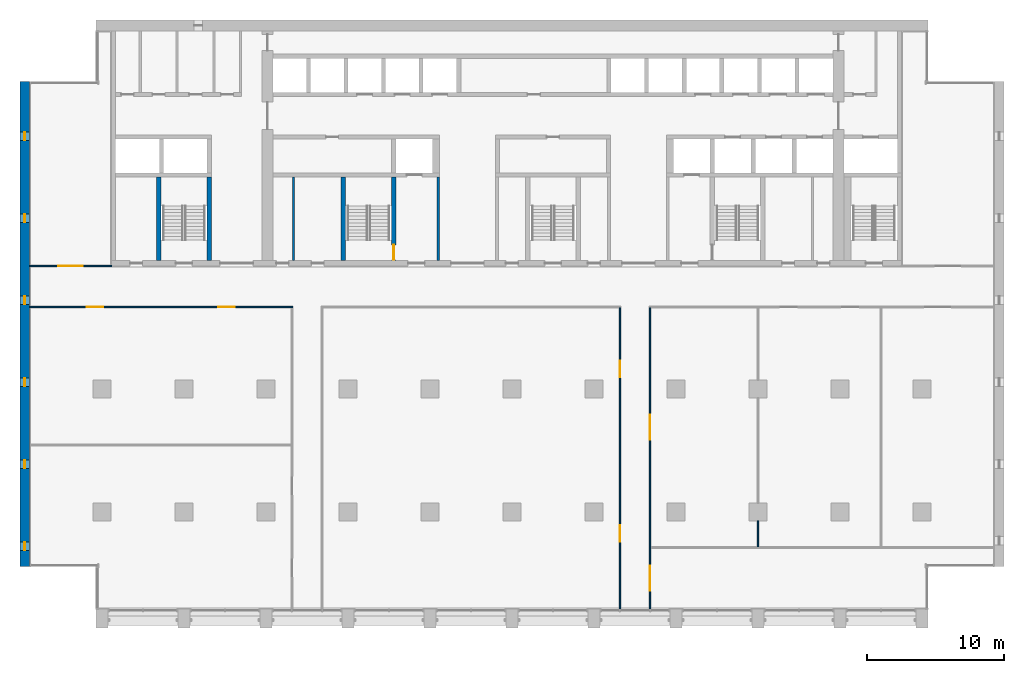
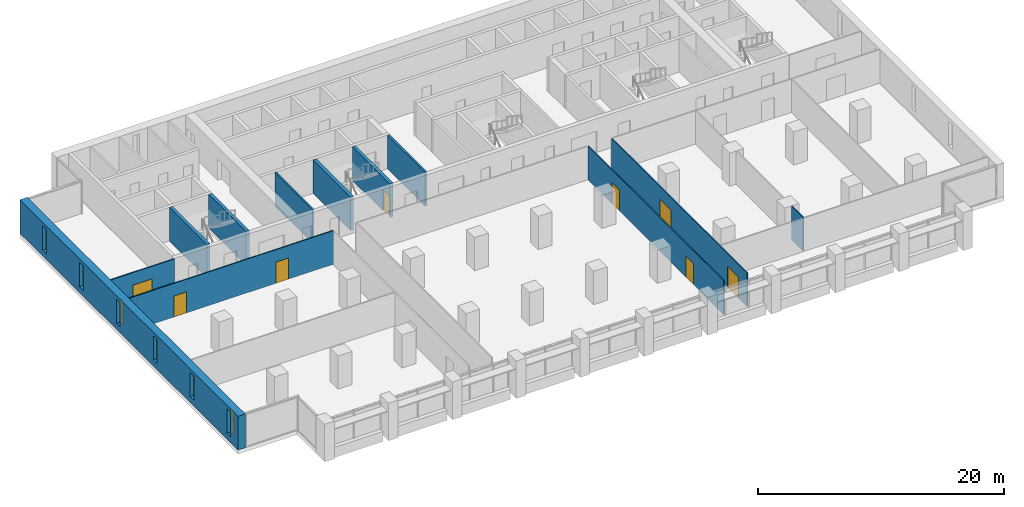
# One storey, part 8 of 15: 12 walls, 8 doors, 6 windows, 14 openings.
"""IFC4 building model written with IfcOpenShell, lengths in metres."""

from ifc_helpers import new_model, si_unit, direction, frame, frame_2d, origin, place, context, subcontext, project, spatial, rectangle, extrude, material, layer, layer_set, type_object, element, fill, save


model = new_model("IFC4")

# Units and contexts
model_context = context("Model", 3, precision=1e-05, world=origin(), true_north=direction((0.0, 1.0)))
body_context = subcontext(model_context, "Body", "Model", "MODEL_VIEW")
ifc_project = project(units=[si_unit("LENGTHUNIT", "METRE"), si_unit("AREAUNIT", "SQUARE_METRE"), si_unit("VOLUMEUNIT", "CUBIC_METRE"), si_unit("PLANEANGLEUNIT", "RADIAN"), si_unit("MASSUNIT", "GRAM", prefix="KILO")], contexts=[model_context])

# Site, building, storey
site_placement = place(None, origin())
site = spatial("IfcSite", under=ifc_project, at=site_placement, CompositionType="ELEMENT")
building_placement = place(site_placement, origin())
building = spatial("IfcBuilding", under=site, at=building_placement, Name="Calvaro Tower", CompositionType="ELEMENT")
storey_placement = place(building_placement, frame((0.0, 0.0, 128.75)))
storey = spatial("IfcBuildingStorey", under=building, at=storey_placement, Name="L32", CompositionType="ELEMENT", Elevation=128.75)

# Walls
ifc_material_1 = material(Name="Blockwork partition", Category="masonry")
ifc_layer_1 = layer(ifc_material_1, 0.14990234375)
ifc_layer_set_1 = layer_set([ifc_layer_1], Name="Blockwork partition")
wall_type_1 = type_object("IfcWallType", Name="Core partition 150 REI 120", PredefinedType="PARTITIONING", material=ifc_layer_set_1)
wall_1_placement = place(storey_placement, frame((20.0, 28.39990234375, 0.0), z_axis=(0.0, 0.0, 1.0), x_axis=(0.0, 1.0, 0.0)))
element("IfcWall", 1, at=wall_1_placement, inside=storey, type_object=wall_type_1, Name="Core partition", PredefinedType="PARTITIONING", context=body_context, shape_type="SweptSolid", body=[
    extrude(rectangle(XDim=6.10009765625, YDim=0.14990234375, at=frame_2d((3.050048828125, 0.0))), origin(), (0.0, 0.0, 1.0), 3.35009765625),
])
ifc_material_2 = material(Name="Blockwork partition", Category="masonry")
ifc_layer_2 = layer(ifc_material_2, 0.199951171875)
ifc_layer_set_2 = layer_set([ifc_layer_2], Name="Blockwork partition")
wall_type_2 = type_object("IfcWallType", Name="Core partition 200 REI 120", PredefinedType="PARTITIONING", material=ifc_layer_set_2)
wall_2_placement = place(storey_placement, frame((30.60009765625, 28.39990234375, 0.0), z_axis=(0.0, 0.0, 1.0), x_axis=(0.0, 1.0, 0.0)))
element("IfcWall", 2, at=wall_2_placement, inside=storey, type_object=wall_type_2, Name="Core partition", PredefinedType="PARTITIONING", context=body_context, shape_type="SweptSolid", body=[
    extrude(rectangle(XDim=6.10009765625, YDim=0.199951171875, at=frame_2d((3.050048828125, 0.0))), origin(), (0.0, 0.0, 1.0), 3.35009765625),
])
ifc_material_3 = material(Name="Concrete C60/75", Category="concrete")
ifc_layer_3 = layer(ifc_material_3, 0.300048828125)
ifc_layer_set_3 = layer_set([ifc_layer_3], Name="Concrete C60/75")
wall_type_3 = type_object("IfcWallType", Name="Core wall C60/75 300", PredefinedType="SHEAR", material=ifc_layer_set_3)
for number, where, z_axis, x_axis, name in (
    (3, (10.14990234375, 28.39990234375, 0.0), (0.0, 0.0, 1.0), (0.0, 1.0, 0.0), "Core wall, stair enclosure"),
    (4, (13.85009765625, 28.39990234375, 0.0), (0.0, 0.0, 1.0), (0.0, 1.0, 0.0), "Core wall, stair enclosure"),
    (5, (23.64990234375, 28.39990234375, 0.0), (0.0, 0.0, 1.0), (0.0, 1.0, 0.0), "Core wall, stair enclosure"),
):
    element("IfcWall", number, at=place(storey_placement, frame(where, z_axis=z_axis, x_axis=x_axis)), inside=storey, type_object=wall_type_3, Name=name, PredefinedType="SHEAR", context=body_context, shape_type="SweptSolid", body=[
        extrude(rectangle(XDim=6.10009765625, YDim=0.300048828125, at=frame_2d((3.050048828125, 0.0))), origin(), (0.0, 0.0, 1.0), 3.35009765625),
    ])

# Wall, opening, door
wall_3_placement = place(storey_placement, frame((27.35009765625, 28.39990234375, 0.0), z_axis=(0.0, 0.0, 1.0), x_axis=(0.0, 1.0, 0.0)))
wall_3 = element("IfcWall", 6, at=wall_3_placement, inside=storey, type_object=wall_type_3, Name="Core wall, stair enclosure", PredefinedType="SHEAR", context=body_context, shape_type="SweptSolid", body=[
    extrude(rectangle(XDim=6.10009765625, YDim=0.300048828125, at=frame_2d((3.050048828125, 0.0))), origin(), (0.0, 0.0, 1.0), 3.35009765625),
])
opening_1_placement = place(wall_3_placement, frame((0.050048828125, 0.0, 0.0)))
opening_1 = element("IfcOpeningElement", 7, at=opening_1_placement, cuts=wall_3, Name="Opening FD11D", PredefinedType="OPENING", context=body_context, shape_type="SweptSolid", body=[
    extrude(rectangle(XDim=1.10009765625, YDim=2.10009765625, at=frame_2d((0.550048828125, 1.050048828125))), frame((0.0, 0.159912109375, 0.0), z_axis=(0.0, -1.0, 0.0), x_axis=(1.0, 0.0, 0.0)), (0.0, 0.0, 1.0), 0.320068359375),
])
ifc_material_4 = material(Name="Steel door set", Category="steel")
door_type_1 = type_object("IfcDoorType", Name="Fire door 1100 FD30S", OperationType="SINGLE_SWING_LEFT", PredefinedType="DOOR", material=ifc_material_4)
door_1_placement = place(opening_1_placement, origin())
door_1 = element("IfcDoor", 8, at=door_1_placement, inside=storey, type_object=door_type_1, Name="Fire door", OperationType="SINGLE_SWING_LEFT", OverallHeight=2.10009765625, OverallWidth=1.10009765625, PredefinedType="DOOR", context=body_context, shape_type="SweptSolid", body=[
    extrude(rectangle(XDim=1.10009765625, YDim=2.10009765625, at=frame_2d((0.550048828125, 1.050048828125))), frame((0.0, 0.02490234375, 0.0), z_axis=(0.0, -1.0, 0.0), x_axis=(1.0, 0.0, 0.0)), (0.0, 0.0, 1.0), 0.050048828125),
])
fill(opening_1, door_1)

# Wall, openings, windows
ifc_material_5 = material(Name="Concrete C60/75", Category="concrete")
ifc_layer_4 = layer(ifc_material_5, 0.699951171875)
ifc_layer_set_4 = layer_set([ifc_layer_4], Name="Concrete C60/75")
wall_type_4 = type_object("IfcWallType", Name="End wall 700 C60/75", PredefinedType="SHEAR", material=ifc_layer_set_4)
wall_4_placement = place(storey_placement, frame((0.35009765625, 6.0, 0.0), z_axis=(0.0, 0.0, 1.0), x_axis=(0.0, 1.0, 0.0)))
wall_4 = element("IfcWall", 9, at=wall_4_placement, inside=storey, type_object=wall_type_4, Name="End shear wall", PredefinedType="SHEAR", context=body_context, shape_type="SweptSolid", body=[
    extrude(rectangle(XDim=35.5, YDim=0.699951171875, at=frame_2d((17.75, 0.0))), origin(), (0.0, 0.0, 1.0), 3.35009765625),
])
opening_2_placement = place(wall_4_placement, frame((1.199951171875, 0.0, 0.60009765625)))
opening_2 = element("IfcOpeningElement", 10, at=opening_2_placement, cuts=wall_4, Name="Opening WW01", PredefinedType="OPENING", context=body_context, shape_type="SweptSolid", body=[
    extrude(rectangle(XDim=0.60009765625, YDim=2.39990234375, at=frame_2d((0.300048828125, 1.199951171875))), frame((0.0, 0.35986328125, 0.0), z_axis=(0.0, -1.0, 0.0), x_axis=(1.0, 0.0, 0.0)), (0.0, 0.0, 1.0), 0.719970703125),
])
opening_3_placement = place(wall_4_placement, frame((7.199951171875, 0.0, 0.60009765625)))
opening_3 = element("IfcOpeningElement", 11, at=opening_3_placement, cuts=wall_4, Name="Opening WW02", PredefinedType="OPENING", context=body_context, shape_type="SweptSolid", body=[
    extrude(rectangle(XDim=0.60009765625, YDim=2.39990234375, at=frame_2d((0.300048828125, 1.199951171875))), frame((0.0, 0.35986328125, 0.0), z_axis=(0.0, -1.0, 0.0), x_axis=(1.0, 0.0, 0.0)), (0.0, 0.0, 1.0), 0.719970703125),
])
opening_4_placement = place(wall_4_placement, frame((13.199951171875, 0.0, 0.60009765625)))
opening_4 = element("IfcOpeningElement", 12, at=opening_4_placement, cuts=wall_4, Name="Opening WW03", PredefinedType="OPENING", context=body_context, shape_type="SweptSolid", body=[
    extrude(rectangle(XDim=0.60009765625, YDim=2.39990234375, at=frame_2d((0.300048828125, 1.199951171875))), frame((0.0, 0.35986328125, 0.0), z_axis=(0.0, -1.0, 0.0), x_axis=(1.0, 0.0, 0.0)), (0.0, 0.0, 1.0), 0.719970703125),
])
opening_5_placement = place(wall_4_placement, frame((19.199951171875, 0.0, 0.60009765625)))
opening_5 = element("IfcOpeningElement", 13, at=opening_5_placement, cuts=wall_4, Name="Opening WW04", PredefinedType="OPENING", context=body_context, shape_type="SweptSolid", body=[
    extrude(rectangle(XDim=0.60009765625, YDim=2.39990234375, at=frame_2d((0.300048828125, 1.199951171875))), frame((0.0, 0.35986328125, 0.0), z_axis=(0.0, -1.0, 0.0), x_axis=(1.0, 0.0, 0.0)), (0.0, 0.0, 1.0), 0.719970703125),
])
opening_6_placement = place(wall_4_placement, frame((25.199951171875, 0.0, 0.60009765625)))
opening_6 = element("IfcOpeningElement", 14, at=opening_6_placement, cuts=wall_4, Name="Opening WW05", PredefinedType="OPENING", context=body_context, shape_type="SweptSolid", body=[
    extrude(rectangle(XDim=0.60009765625, YDim=2.39990234375, at=frame_2d((0.300048828125, 1.199951171875))), frame((0.0, 0.35986328125, 0.0), z_axis=(0.0, -1.0, 0.0), x_axis=(1.0, 0.0, 0.0)), (0.0, 0.0, 1.0), 0.719970703125),
])
opening_7_placement = place(wall_4_placement, frame((31.199951171875, 0.0, 0.60009765625)))
opening_7 = element("IfcOpeningElement", 15, at=opening_7_placement, cuts=wall_4, Name="Opening WW06", PredefinedType="OPENING", context=body_context, shape_type="SweptSolid", body=[
    extrude(rectangle(XDim=0.60009765625, YDim=2.39990234375, at=frame_2d((0.300048828125, 1.199951171875))), frame((0.0, 0.35986328125, 0.0), z_axis=(0.0, -1.0, 0.0), x_axis=(1.0, 0.0, 0.0)), (0.0, 0.0, 1.0), 0.719970703125),
])
ifc_material_6 = material(Name="Glass", Category="glass")
window_type = type_object("IfcWindowType", Name="Slit window 600 x 2400", PartitioningType="SINGLE_PANEL", PredefinedType="WINDOW", material=ifc_material_6)
window_1_placement = place(opening_2_placement, origin())
window_1 = element("IfcWindow", 16, at=window_1_placement, inside=storey, type_object=window_type, Name="Window WW01", OverallHeight=2.39990234375, OverallWidth=0.60009765625, PartitioningType="SINGLE_PANEL", PredefinedType="WINDOW", context=body_context, shape_type="SweptSolid", body=[
    extrude(rectangle(XDim=0.60009765625, YDim=2.39990234375, at=frame_2d((0.300048828125, 1.199951171875))), frame((0.0, 0.030029296875, 0.0), z_axis=(0.0, -1.0, 0.0), x_axis=(1.0, 0.0, 0.0)), (0.0, 0.0, 1.0), 0.06005859375),
])
fill(opening_2, window_1)
window_2_placement = place(opening_3_placement, origin())
window_2 = element("IfcWindow", 17, at=window_2_placement, inside=storey, type_object=window_type, Name="Window WW02", OverallHeight=2.39990234375, OverallWidth=0.60009765625, PartitioningType="SINGLE_PANEL", PredefinedType="WINDOW", context=body_context, shape_type="SweptSolid", body=[
    extrude(rectangle(XDim=0.60009765625, YDim=2.39990234375, at=frame_2d((0.300048828125, 1.199951171875))), frame((0.0, 0.030029296875, 0.0), z_axis=(0.0, -1.0, 0.0), x_axis=(1.0, 0.0, 0.0)), (0.0, 0.0, 1.0), 0.06005859375),
])
fill(opening_3, window_2)
window_3_placement = place(opening_4_placement, origin())
window_3 = element("IfcWindow", 18, at=window_3_placement, inside=storey, type_object=window_type, Name="Window WW03", OverallHeight=2.39990234375, OverallWidth=0.60009765625, PartitioningType="SINGLE_PANEL", PredefinedType="WINDOW", context=body_context, shape_type="SweptSolid", body=[
    extrude(rectangle(XDim=0.60009765625, YDim=2.39990234375, at=frame_2d((0.300048828125, 1.199951171875))), frame((0.0, 0.030029296875, 0.0), z_axis=(0.0, -1.0, 0.0), x_axis=(1.0, 0.0, 0.0)), (0.0, 0.0, 1.0), 0.06005859375),
])
fill(opening_4, window_3)
window_4_placement = place(opening_5_placement, origin())
window_4 = element("IfcWindow", 19, at=window_4_placement, inside=storey, type_object=window_type, Name="Window WW04", OverallHeight=2.39990234375, OverallWidth=0.60009765625, PartitioningType="SINGLE_PANEL", PredefinedType="WINDOW", context=body_context, shape_type="SweptSolid", body=[
    extrude(rectangle(XDim=0.60009765625, YDim=2.39990234375, at=frame_2d((0.300048828125, 1.199951171875))), frame((0.0, 0.030029296875, 0.0), z_axis=(0.0, -1.0, 0.0), x_axis=(1.0, 0.0, 0.0)), (0.0, 0.0, 1.0), 0.06005859375),
])
fill(opening_5, window_4)
window_5_placement = place(opening_6_placement, origin())
window_5 = element("IfcWindow", 20, at=window_5_placement, inside=storey, type_object=window_type, Name="Window WW05", OverallHeight=2.39990234375, OverallWidth=0.60009765625, PartitioningType="SINGLE_PANEL", PredefinedType="WINDOW", context=body_context, shape_type="SweptSolid", body=[
    extrude(rectangle(XDim=0.60009765625, YDim=2.39990234375, at=frame_2d((0.300048828125, 1.199951171875))), frame((0.0, 0.030029296875, 0.0), z_axis=(0.0, -1.0, 0.0), x_axis=(1.0, 0.0, 0.0)), (0.0, 0.0, 1.0), 0.06005859375),
])
fill(opening_6, window_5)
window_6_placement = place(opening_7_placement, origin())
window_6 = element("IfcWindow", 21, at=window_6_placement, inside=storey, type_object=window_type, Name="Window WW06", OverallHeight=2.39990234375, OverallWidth=0.60009765625, PartitioningType="SINGLE_PANEL", PredefinedType="WINDOW", context=body_context, shape_type="SweptSolid", body=[
    extrude(rectangle(XDim=0.60009765625, YDim=2.39990234375, at=frame_2d((0.300048828125, 1.199951171875))), frame((0.0, 0.030029296875, 0.0), z_axis=(0.0, -1.0, 0.0), x_axis=(1.0, 0.0, 0.0)), (0.0, 0.0, 1.0), 0.06005859375),
])
fill(opening_7, window_6)

# Wall, openings, doors
ifc_material_7 = material(Name="Plasterboard on steel studs", Category="steel")
ifc_layer_5 = layer(ifc_material_7, 0.10009765625)
ifc_layer_set_5 = layer_set([ifc_layer_5], Name="Plasterboard on steel studs")
wall_type_5 = type_object("IfcWallType", Name="Partition 100", PredefinedType="PARTITIONING", material=ifc_layer_set_5)
wall_5_placement = place(storey_placement, frame((0.699951171875, 25.0, 0.0), z_axis=(0.0, 0.0, 1.0), x_axis=(1.0, 0.0, 0.0)))
wall_5 = element("IfcWall", 22, at=wall_5_placement, inside=storey, type_object=wall_type_5, Name="Partition T20.W003", PredefinedType="PARTITIONING", context=body_context, shape_type="SweptSolid", body=[
    extrude(rectangle(XDim=19.25, YDim=0.10009765625, at=frame_2d((9.625, 0.0))), origin(), (0.0, 0.0, 1.0), 3.35009765625),
])
opening_8_placement = place(wall_5_placement, frame((4.199951171875, 0.0, 0.0)))
opening_8 = element("IfcOpeningElement", 23, at=opening_8_placement, cuts=wall_5, Name="Opening T20.010", PredefinedType="OPENING", context=body_context, shape_type="SweptSolid", body=[
    extrude(rectangle(XDim=1.199951171875, YDim=2.10009765625, at=frame_2d((0.60009765625, 1.050048828125))), frame((0.0, 0.06005859375, 0.0), z_axis=(0.0, -1.0, 0.0), x_axis=(1.0, 0.0, 0.0)), (0.0, 0.0, 1.0), 0.1201171875),
])
opening_9_placement = place(wall_5_placement, frame((13.800048828125, 0.0, 0.0)))
opening_9 = element("IfcOpeningElement", 24, at=opening_9_placement, cuts=wall_5, Name="Opening T20.011", PredefinedType="OPENING", context=body_context, shape_type="SweptSolid", body=[
    extrude(rectangle(XDim=1.199951171875, YDim=2.10009765625, at=frame_2d((0.60009765625, 1.050048828125))), frame((0.0, 0.06005859375, 0.0), z_axis=(0.0, -1.0, 0.0), x_axis=(1.0, 0.0, 0.0)), (0.0, 0.0, 1.0), 0.1201171875),
])
ifc_material_8 = material(Name="Timber", Category="wood")
door_type_2 = type_object("IfcDoorType", Name="Internal single door 1200 x 2100", OperationType="SINGLE_SWING_LEFT", PredefinedType="DOOR", material=ifc_material_8)
door_2_placement = place(opening_8_placement, origin())
door_2 = element("IfcDoor", 25, at=door_2_placement, inside=storey, type_object=door_type_2, Name="Door T20.010", OperationType="SINGLE_SWING_LEFT", OverallHeight=2.10009765625, OverallWidth=1.199951171875, PredefinedType="DOOR", context=body_context, shape_type="SweptSolid", body=[
    extrude(rectangle(XDim=1.199951171875, YDim=2.10009765625, at=frame_2d((0.60009765625, 1.050048828125))), frame((0.0, 0.02490234375, 0.0), z_axis=(0.0, -1.0, 0.0), x_axis=(1.0, 0.0, 0.0)), (0.0, 0.0, 1.0), 0.050048828125),
])
fill(opening_8, door_2)
door_3_placement = place(opening_9_placement, origin())
door_3 = element("IfcDoor", 26, at=door_3_placement, inside=storey, type_object=door_type_2, Name="Door T20.011", OperationType="SINGLE_SWING_RIGHT", OverallHeight=2.10009765625, OverallWidth=1.199951171875, PredefinedType="DOOR", context=body_context, shape_type="SweptSolid", body=[
    extrude(rectangle(XDim=1.199951171875, YDim=2.10009765625, at=frame_2d((0.60009765625, 1.050048828125))), frame((0.0, 0.02490234375, 0.0), z_axis=(0.0, -1.0, 0.0), x_axis=(1.0, 0.0, 0.0)), (0.0, 0.0, 1.0), 0.050048828125),
])
fill(opening_9, door_3)

# Wall, opening, door
wall_6_placement = place(storey_placement, frame((0.699951171875, 28.0, 0.0), z_axis=(0.0, 0.0, 1.0), x_axis=(1.0, 0.0, 0.0)))
wall_6 = element("IfcWall", 27, at=wall_6_placement, inside=storey, type_object=wall_type_5, Name="Partition T20.W006", PredefinedType="PARTITIONING", context=body_context, shape_type="SweptSolid", body=[
    extrude(rectangle(XDim=6.0, YDim=0.10009765625, at=frame_2d((3.0, 0.0))), origin(), (0.0, 0.0, 1.0), 3.35009765625),
])
opening_10_placement = place(wall_6_placement, frame((2.10009765625, 0.0, 0.0)))
opening_10 = element("IfcOpeningElement", 28, at=opening_10_placement, cuts=wall_6, Name="Opening T20.012", PredefinedType="OPENING", context=body_context, shape_type="SweptSolid", body=[
    extrude(rectangle(XDim=1.800048828125, YDim=2.10009765625, at=frame_2d((0.89990234375, 1.050048828125))), frame((0.0, 0.06005859375, 0.0), z_axis=(0.0, -1.0, 0.0), x_axis=(1.0, 0.0, 0.0)), (0.0, 0.0, 1.0), 0.1201171875),
])
ifc_material_9 = material(Name="Timber", Category="wood")
door_type_3 = type_object("IfcDoorType", Name="Internal double door 1800 x 2100", OperationType="DOUBLE_DOOR_SINGLE_SWING", PredefinedType="DOOR", material=ifc_material_9)
door_4_placement = place(opening_10_placement, origin())
door_4 = element("IfcDoor", 29, at=door_4_placement, inside=storey, type_object=door_type_3, Name="Door T20.012", OperationType="DOUBLE_DOOR_SINGLE_SWING", OverallHeight=2.10009765625, OverallWidth=1.800048828125, PredefinedType="DOOR", context=body_context, shape_type="SweptSolid", body=[
    extrude(rectangle(XDim=1.800048828125, YDim=2.10009765625, at=frame_2d((0.89990234375, 1.050048828125))), frame((0.0, 0.02490234375, 0.0), z_axis=(0.0, -1.0, 0.0), x_axis=(1.0, 0.0, 0.0)), (0.0, 0.0, 1.0), 0.050048828125),
])
fill(opening_10, door_4)

# Wall, openings, doors
wall_7_placement = place(storey_placement, frame((43.89990234375, 2.89990234375, 0.0), z_axis=(0.0, 0.0, 1.0), x_axis=(0.0, 1.0, 0.0)))
wall_7 = element("IfcWall", 30, at=wall_7_placement, inside=storey, type_object=wall_type_5, Name="Partition T20.W010", PredefinedType="PARTITIONING", context=body_context, shape_type="SweptSolid", body=[
    extrude(rectangle(XDim=22.050048828125, YDim=0.10009765625, at=frame_2d((11.02490234375, 0.0))), origin(), (0.0, 0.0, 1.0), 3.35009765625),
])
opening_11_placement = place(wall_7_placement, frame((4.925048828125, 0.0, 0.0)))
opening_11 = element("IfcOpeningElement", 31, at=opening_11_placement, cuts=wall_7, Name="Opening T20.004", PredefinedType="OPENING", context=body_context, shape_type="SweptSolid", body=[
    extrude(rectangle(XDim=1.199951171875, YDim=2.10009765625, at=frame_2d((0.60009765625, 1.050048828125))), frame((0.0, 0.06005859375, 0.0), z_axis=(0.0, -1.0, 0.0), x_axis=(1.0, 0.0, 0.0)), (0.0, 0.0, 1.0), 0.1201171875),
])
opening_12_placement = place(wall_7_placement, frame((16.97509765625, 0.0, 0.0)))
opening_12 = element("IfcOpeningElement", 32, at=opening_12_placement, cuts=wall_7, Name="Opening T20.005", PredefinedType="OPENING", context=body_context, shape_type="SweptSolid", body=[
    extrude(rectangle(XDim=1.199951171875, YDim=2.10009765625, at=frame_2d((0.60009765625, 1.050048828125))), frame((0.0, 0.06005859375, 0.0), z_axis=(0.0, -1.0, 0.0), x_axis=(1.0, 0.0, 0.0)), (0.0, 0.0, 1.0), 0.1201171875),
])
door_5_placement = place(opening_11_placement, origin())
door_5 = element("IfcDoor", 33, at=door_5_placement, inside=storey, type_object=door_type_2, Name="Door T20.004", OperationType="SINGLE_SWING_LEFT", OverallHeight=2.10009765625, OverallWidth=1.199951171875, PredefinedType="DOOR", context=body_context, shape_type="SweptSolid", body=[
    extrude(rectangle(XDim=1.199951171875, YDim=2.10009765625, at=frame_2d((0.60009765625, 1.050048828125))), frame((0.0, 0.02490234375, 0.0), z_axis=(0.0, -1.0, 0.0), x_axis=(1.0, 0.0, 0.0)), (0.0, 0.0, 1.0), 0.050048828125),
])
fill(opening_11, door_5)
door_6_placement = place(opening_12_placement, origin())
door_6 = element("IfcDoor", 34, at=door_6_placement, inside=storey, type_object=door_type_2, Name="Door T20.005", OperationType="SINGLE_SWING_RIGHT", OverallHeight=2.10009765625, OverallWidth=1.199951171875, PredefinedType="DOOR", context=body_context, shape_type="SweptSolid", body=[
    extrude(rectangle(XDim=1.199951171875, YDim=2.10009765625, at=frame_2d((0.60009765625, 1.050048828125))), frame((0.0, 0.02490234375, 0.0), z_axis=(0.0, -1.0, 0.0), x_axis=(1.0, 0.0, 0.0)), (0.0, 0.0, 1.0), 0.050048828125),
])
fill(opening_12, door_6)

wall_8_placement = place(storey_placement, frame((46.10009765625, 2.89990234375, 0.0), z_axis=(0.0, 0.0, 1.0), x_axis=(0.0, 1.0, 0.0)))
wall_8 = element("IfcWall", 35, at=wall_8_placement, inside=storey, type_object=wall_type_5, Name="Partition T20.W011", PredefinedType="PARTITIONING", context=body_context, shape_type="SweptSolid", body=[
    extrude(rectangle(XDim=22.050048828125, YDim=0.10009765625, at=frame_2d((11.02490234375, 0.0))), origin(), (0.0, 0.0, 1.0), 3.35009765625),
])
opening_13_placement = place(wall_8_placement, frame((1.35009765625, 0.0, 0.0)))
opening_13 = element("IfcOpeningElement", 36, at=opening_13_placement, cuts=wall_8, Name="Opening T20.001", PredefinedType="OPENING", context=body_context, shape_type="SweptSolid", body=[
    extrude(rectangle(XDim=1.800048828125, YDim=2.10009765625, at=frame_2d((0.89990234375, 1.050048828125))), frame((0.0, 0.06005859375, 0.0), z_axis=(0.0, -1.0, 0.0), x_axis=(1.0, 0.0, 0.0)), (0.0, 0.0, 1.0), 0.1201171875),
])
opening_14_placement = place(wall_8_placement, frame((12.39990234375, 0.0, 0.0)))
opening_14 = element("IfcOpeningElement", 37, at=opening_14_placement, cuts=wall_8, Name="Opening T20.006", PredefinedType="OPENING", context=body_context, shape_type="SweptSolid", body=[
    extrude(rectangle(XDim=1.800048828125, YDim=2.10009765625, at=frame_2d((0.89990234375, 1.050048828125))), frame((0.0, 0.06005859375, 0.0), z_axis=(0.0, -1.0, 0.0), x_axis=(1.0, 0.0, 0.0)), (0.0, 0.0, 1.0), 0.1201171875),
])
door_7_placement = place(opening_13_placement, origin())
door_7 = element("IfcDoor", 38, at=door_7_placement, inside=storey, type_object=door_type_3, Name="Door T20.001", OperationType="DOUBLE_DOOR_SINGLE_SWING", OverallHeight=2.10009765625, OverallWidth=1.800048828125, PredefinedType="DOOR", context=body_context, shape_type="SweptSolid", body=[
    extrude(rectangle(XDim=1.800048828125, YDim=2.10009765625, at=frame_2d((0.89990234375, 1.050048828125))), frame((0.0, 0.02490234375, 0.0), z_axis=(0.0, -1.0, 0.0), x_axis=(1.0, 0.0, 0.0)), (0.0, 0.0, 1.0), 0.050048828125),
])
fill(opening_13, door_7)
door_8_placement = place(opening_14_placement, origin())
door_8 = element("IfcDoor", 39, at=door_8_placement, inside=storey, type_object=door_type_3, Name="Door T20.006", OperationType="DOUBLE_DOOR_SINGLE_SWING", OverallHeight=2.10009765625, OverallWidth=1.800048828125, PredefinedType="DOOR", context=body_context, shape_type="SweptSolid", body=[
    extrude(rectangle(XDim=1.800048828125, YDim=2.10009765625, at=frame_2d((0.89990234375, 1.050048828125))), frame((0.0, 0.02490234375, 0.0), z_axis=(0.0, -1.0, 0.0), x_axis=(1.0, 0.0, 0.0)), (0.0, 0.0, 1.0), 0.050048828125),
])
fill(opening_14, door_8)

# Wall
wall_9_placement = place(storey_placement, frame((54.0, 7.449951171875, 0.0), z_axis=(0.0, 0.0, 1.0), x_axis=(0.0, 1.0, 0.0)))
element("IfcWall", 40, at=wall_9_placement, inside=storey, type_object=wall_type_5, Name="Partition T20.W012", PredefinedType="PARTITIONING", context=body_context, shape_type="SweptSolid", body=[
    extrude(rectangle(XDim=1.900146484375, YDim=0.10009765625, at=frame_2d((0.9501953125, 0.0))), origin(), (0.0, 0.0, 1.0), 3.35009765625),
])

save(model, "model.ifc")
